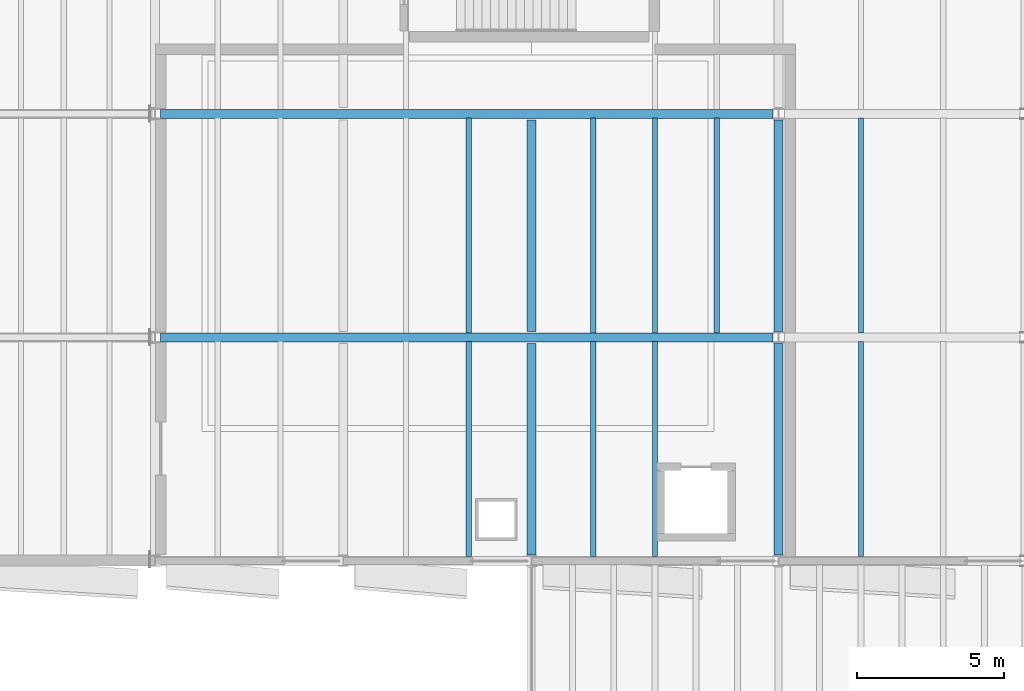
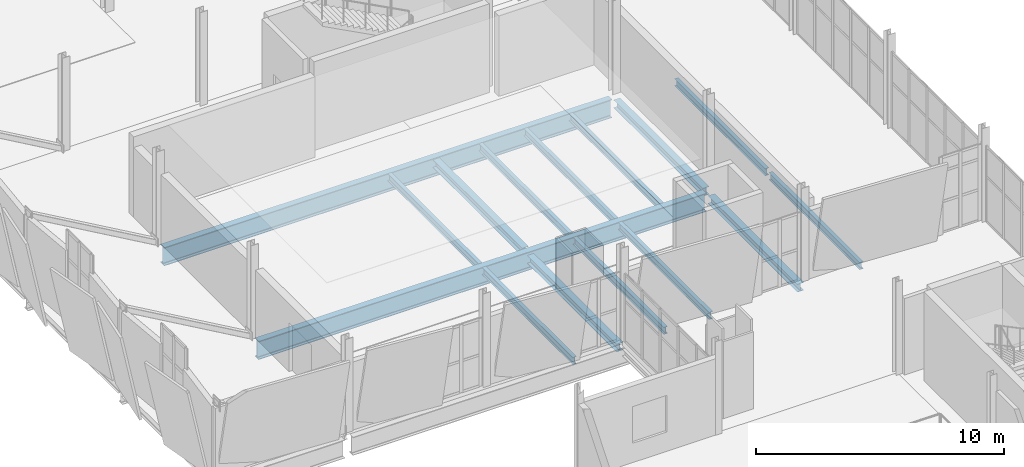
# One storey, part 33 of 172: 15 beams.
"""IFC4 building model written with IfcOpenShell, lengths in metres."""

from ifc_helpers import new_model, si_unit, direction, frame, origin, origin_2d, place, context, subcontext, project, spatial, i_section, extrude, material, material_profile, profile_set, type_object, element, save


model = new_model("IFC4")

# Units and contexts
model_context = context("Model", 3, precision=1e-05, world=origin(), true_north=direction((0.0, 1.0)))
body_context = subcontext(model_context, "Body", "Model", "MODEL_VIEW")
ifc_project = project(units=[si_unit("LENGTHUNIT", "METRE"), si_unit("AREAUNIT", "SQUARE_METRE"), si_unit("VOLUMEUNIT", "CUBIC_METRE"), si_unit("PLANEANGLEUNIT", "RADIAN"), si_unit("MASSUNIT", "GRAM", prefix="KILO")], contexts=[model_context])

# Site, building, storey
site_placement = place(None, origin())
site = spatial("IfcSite", under=ifc_project, at=site_placement, CompositionType="ELEMENT")
building_placement = place(site_placement, origin())
building = spatial("IfcBuilding", under=site, at=building_placement, Name="Shengluoqiao Park Theatre", CompositionType="ELEMENT")
storey_placement = place(building_placement, frame((0.0, 0.0, 5.39990234375)))
storey = spatial("IfcBuildingStorey", under=building, at=storey_placement, Name="L01", CompositionType="ELEMENT", Elevation=5.39990234375)

# Beams
ifc_material_1 = material(Name="Steel Q355", Category="steel")
ifc_material_profile_1 = material_profile(ifc_material_1, i_section(OverallWidth=0.300048828125, OverallDepth=0.389892578125, WebThickness=0.010009765625, FlangeThickness=0.01611328125, FilletRadius=0.01806640625, at=origin_2d()), Name="HM 390x300x10x16")
ifc_profile_set_1 = profile_set([ifc_material_profile_1], Name="Steel Q355")
beam_type_1 = type_object("IfcBeamType", Name="STR-BM-G-HM390", PredefinedType="BEAM", material=ifc_profile_set_1)
for number, where, z_axis, x_axis, name in (
    (1, (19.199951171875, 30.60791015625, -0.534912109375), (0.0, 1.0, 0.0), (-1.0, 0.0, 0.0), "L01 Transverse Girder 00379"),
    (2, (19.199951171875, 38.2080078125, -0.434814453125), (0.0, 1.0, 0.0), (-1.0, 0.0, 0.0), "L01 Transverse Girder 00380"),
    (3, (27.60009765625, 30.60791015625, -0.534912109375), (0.0, 1.0, 0.0), (-1.0, 0.0, 0.0), "L01 Transverse Girder 00396"),
    (4, (27.60009765625, 38.2080078125, -0.434814453125), (0.0, 1.0, 0.0), (-1.0, 0.0, 0.0), "L01 Transverse Girder 00397"),
):
    element("IfcBeam", number, at=place(storey_placement, frame(where, z_axis=z_axis, x_axis=x_axis)), inside=storey, type_object=beam_type_1, Name=name, PredefinedType="BEAM", context=body_context, shape_type="SweptSolid", body=[
        extrude(i_section(OverallWidth=0.300048828125, OverallDepth=0.389892578125, WebThickness=0.010009765625, FlangeThickness=0.01611328125, FilletRadius=0.01806640625, at=origin_2d()), origin(), (0.0, 0.0, 1.0), 7.18408203125),
    ])
ifc_material_2 = material(Name="Steel Q390", Category="steel")
ifc_material_profile_2 = material_profile(ifc_material_2, i_section(OverallWidth=0.300048828125, OverallDepth=0.89990234375, WebThickness=0.01611328125, FlangeThickness=0.028076171875, FilletRadius=0.028076171875, at=origin_2d()), Name="HN 900x300x16x28")
ifc_profile_set_2 = profile_set([ifc_material_profile_2], Name="Steel Q390")
beam_type_2 = type_object("IfcBeamType", Name="STR-BM-G-HN900", PredefinedType="BEAM", material=ifc_profile_set_2)
for number, where, z_axis, x_axis, name in (
    (5, (6.591552734375, 38.0, -0.68994140625), (1.0, 0.0, 0.0), (0.0, 1.0, 0.0), "CT-V3-2 L01 Continuous Back-Span Chord"),
    (6, (6.591552734375, 45.60009765625, -0.68994140625), (1.0, 0.0, 0.0), (0.0, 1.0, 0.0), "CT-V3-3 L01 Continuous Back-Span Chord"),
):
    element("IfcBeam", number, at=place(storey_placement, frame(where, z_axis=z_axis, x_axis=x_axis)), inside=storey, type_object=beam_type_2, Name=name, PredefinedType="BEAM", context=body_context, shape_type="SweptSolid", body=[
        extrude(i_section(OverallWidth=0.300048828125, OverallDepth=0.89990234375, WebThickness=0.01611328125, FlangeThickness=0.028076171875, FilletRadius=0.028076171875, at=origin_2d()), origin(), (0.0, 0.0, 1.0), 20.81689453125),
    ])
ifc_material_profile_3 = material_profile(ifc_material_1, i_section(OverallWidth=0.175048828125, OverallDepth=0.35009765625, WebThickness=0.007080078125, FlangeThickness=0.010986328125, FilletRadius=0.013916015625, at=origin_2d()), Name="HN 350x175x7x11")
ifc_profile_set_3 = profile_set([ifc_material_profile_3], Name="Steel Q355")
beam_type_3 = type_object("IfcBeamType", Name="STR-BM-J-HN350", PredefinedType="JOIST", material=ifc_profile_set_3)
for number, where, z_axis, x_axis, name in (
    (7, (17.066650390625, 30.544921875, -0.414794921875), (0.0, 1.0, 0.0), (-1.0, 0.0, 0.0), "L01 Composite Joist 00388"),
    (8, (17.066650390625, 38.14501953125, -0.414794921875), (0.0, 1.0, 0.0), (-1.0, 0.0, 0.0), "L01 Composite Joist 00390"),
    (9, (21.300048828125, 30.544921875, -0.414794921875), (0.0, 1.0, 0.0), (-1.0, 0.0, 0.0), "L01 Composite Joist 00402"),
    (10, (23.39990234375, 30.544921875, -0.414794921875), (0.0, 1.0, 0.0), (-1.0, 0.0, 0.0), "L01 Composite Joist 00403"),
    (11, (21.300048828125, 38.14501953125, -0.414794921875), (0.0, 1.0, 0.0), (-1.0, 0.0, 0.0), "L01 Composite Joist 00404"),
    (12, (23.39990234375, 38.14501953125, -0.414794921875), (0.0, 1.0, 0.0), (-1.0, 0.0, 0.0), "L01 Composite Joist 00405"),
    (13, (25.5, 38.14501953125, -0.414794921875), (0.0, 1.0, 0.0), (-1.0, 0.0, 0.0), "L01 Composite Joist 00406"),
    (14, (30.39990234375, 30.544921875, -0.414794921875), (0.0, 1.0, 0.0), (-1.0, 0.0, 0.0), "L01 Composite Joist 00409"),
    (15, (30.39990234375, 38.14501953125, -0.414794921875), (0.0, 1.0, 0.0), (-1.0, 0.0, 0.0), "L01 Composite Joist 00411"),
):
    element("IfcBeam", number, at=place(storey_placement, frame(where, z_axis=z_axis, x_axis=x_axis)), inside=storey, type_object=beam_type_3, Name=name, PredefinedType="JOIST", context=body_context, shape_type="SweptSolid", body=[
        extrude(i_section(OverallWidth=0.175048828125, OverallDepth=0.35009765625, WebThickness=0.007080078125, FlangeThickness=0.010986328125, FilletRadius=0.013916015625, at=origin_2d()), origin(), (0.0, 0.0, 1.0), 7.31005859375),
    ])

save(model, "model.ifc")
